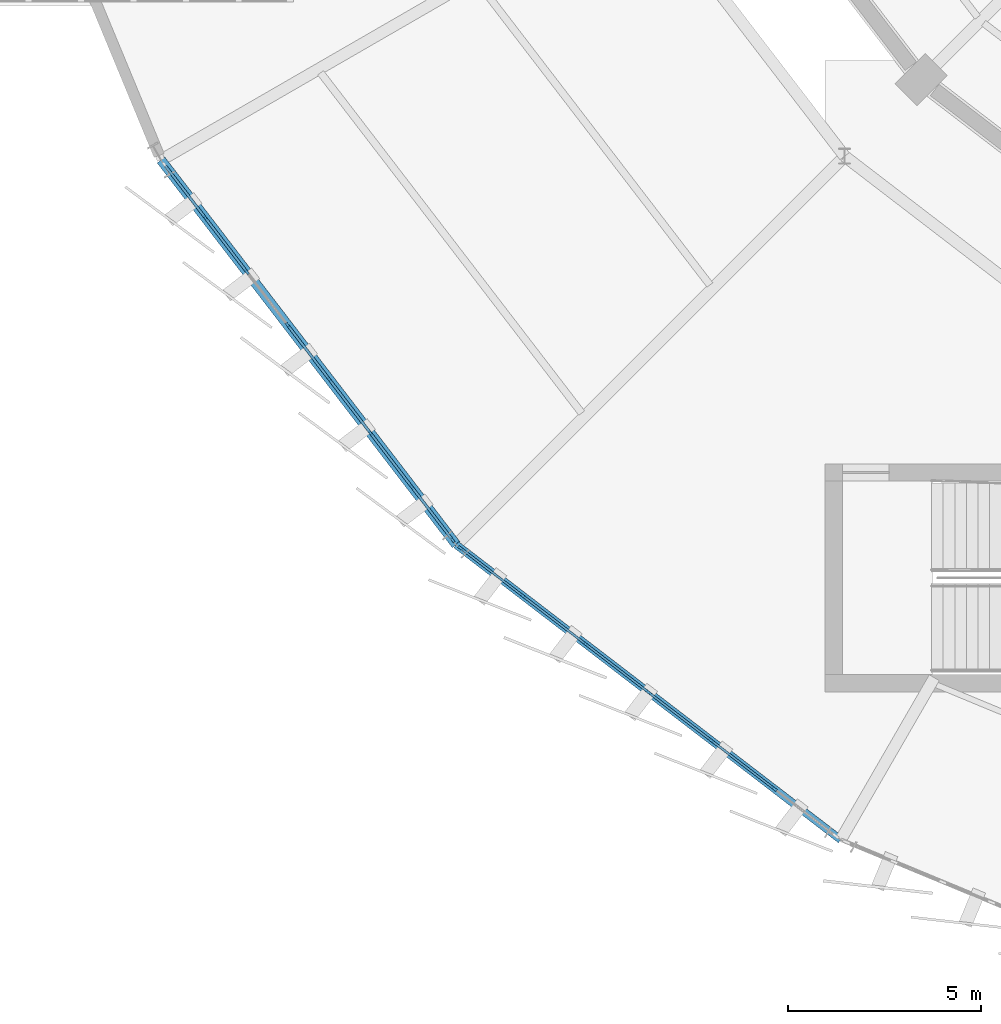
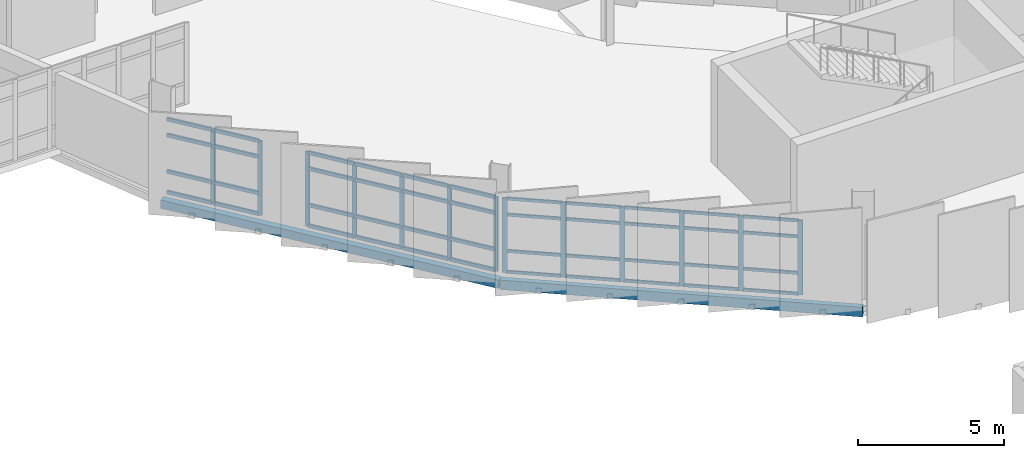
# One storey, part 28 of 134: 57 members, 2 beams, 2 elements without a shape of their own.
"""IFC4 building model written with IfcOpenShell, lengths in metres."""

from ifc_helpers import new_model, si_unit, direction, frame, origin, origin_2d, place, context, subcontext, project, spatial, rectangle, hollow_rectangle, extrude, material, layer, layer_set, material_profile, profile_set, type_object, element, aggregate, save


model = new_model("IFC4")

# Units and contexts
model_context = context("Model", 3, precision=1e-05, world=origin(), true_north=direction((0.0, 1.0)))
body_context = subcontext(model_context, "Body", "Model", "MODEL_VIEW")
ifc_project = project(units=[si_unit("LENGTHUNIT", "METRE"), si_unit("AREAUNIT", "SQUARE_METRE"), si_unit("VOLUMEUNIT", "CUBIC_METRE"), si_unit("PLANEANGLEUNIT", "RADIAN"), si_unit("MASSUNIT", "GRAM", prefix="KILO")], contexts=[model_context])

# Site, building, storey
site_placement = place(None, origin())
site = spatial("IfcSite", under=ifc_project, at=site_placement, CompositionType="ELEMENT")
building_placement = place(site_placement, origin())
building = spatial("IfcBuilding", under=site, at=building_placement, Name="Sohan Crest Arena", CompositionType="ELEMENT")
storey_placement = place(building_placement, frame((0.0, 0.0, 4.5)))
storey = spatial("IfcBuildingStorey", under=building, at=storey_placement, Name="L01", CompositionType="ELEMENT", Elevation=4.5)

# Curtain wall, members
ifc_material_1 = material(Name="Thermally broken anodised aluminium", Category="aluminium")
ifc_layer_1 = layer(ifc_material_1, 0.219970703125, Name="Thermally broken anodised aluminium")
ifc_layer_set_1 = layer_set([ifc_layer_1], Name="Thermally broken anodised aluminium")
curtain_wall_type_1 = type_object("IfcCurtainWallType", Name="ARC-CW03", PredefinedType="NOTDEFINED", material=ifc_layer_set_1)
curtain_wall_1_placement = place(storey_placement, origin())
curtain_wall_1 = element("IfcCurtainWall", 1, at=curtain_wall_1_placement, inside=storey, type_object=curtain_wall_type_1, Name="Unitised curtain wall CW-026", PredefinedType="NOTDEFINED")
ifc_material_profile_1 = material_profile(ifc_material_1, rectangle(XDim=0.06005859375, YDim=0.159912109375, at=origin_2d()), Name="ALU-MULL 60x160")
ifc_profile_set_1 = profile_set([ifc_material_profile_1], Name="Thermally broken anodised aluminium")
member_type_1 = type_object("IfcMemberType", Name="ARC-CW-ML01", PredefinedType="MULLION", material=ifc_profile_set_1)
member_1_placement = place(storey_placement, frame((57.5771484375, 52.50634765625, 0.0), z_axis=(0.0, 0.0, 1.0), x_axis=(0.793350515411, 0.608765110447, 0.0)))
member_1 = element("IfcMember", 2, at=member_1_placement, type_object=member_type_1, Name="CW-026 mullion 2", PredefinedType="MULLION", context=body_context, shape_type="SweptSolid", body=[
    extrude(rectangle(XDim=0.06005859375, YDim=0.159912109375, at=origin_2d()), origin(), (0.0, 0.0, 1.0), 3.1201171875),
])
member_2_placement = place(storey_placement, frame((58.644287109375, 51.115478515625, 0.0), z_axis=(0.0, 0.0, 1.0), x_axis=(0.793350515411, 0.608765110447, 0.0)))
member_2 = element("IfcMember", 3, at=member_2_placement, type_object=member_type_1, Name="CW-026 mullion 3", PredefinedType="MULLION", context=body_context, shape_type="SweptSolid", body=[
    extrude(rectangle(XDim=0.06005859375, YDim=0.159912109375, at=origin_2d()), origin(), (0.0, 0.0, 1.0), 3.1201171875),
])
member_3_placement = place(storey_placement, frame((59.71142578125, 49.724853515625, 0.0), z_axis=(0.0, 0.0, 1.0), x_axis=(0.793350515411, 0.608765110447, 0.0)))
member_3 = element("IfcMember", 4, at=member_3_placement, type_object=member_type_1, Name="CW-026 mullion 4", PredefinedType="MULLION", context=body_context, shape_type="SweptSolid", body=[
    extrude(rectangle(XDim=0.06005859375, YDim=0.159912109375, at=origin_2d()), origin(), (0.0, 0.0, 1.0), 3.1201171875),
])
member_4_placement = place(storey_placement, frame((60.778564453125, 48.334228515625, 0.0), z_axis=(0.0, 0.0, 1.0), x_axis=(0.793350515411, 0.608765110447, 0.0)))
member_4 = element("IfcMember", 5, at=member_4_placement, type_object=member_type_1, Name="CW-026 mullion 5", PredefinedType="MULLION", context=body_context, shape_type="SweptSolid", body=[
    extrude(rectangle(XDim=0.06005859375, YDim=0.159912109375, at=origin_2d()), origin(), (0.0, 0.0, 1.0), 3.1201171875),
])
member_5_placement = place(storey_placement, frame((61.845703125, 46.943359375, 0.0), z_axis=(0.0, 0.0, 1.0), x_axis=(0.793350515411, 0.608765110447, 0.0)))
member_5 = element("IfcMember", 6, at=member_5_placement, type_object=member_type_1, Name="CW-026 mullion 6", PredefinedType="MULLION", context=body_context, shape_type="SweptSolid", body=[
    extrude(rectangle(XDim=0.06005859375, YDim=0.159912109375, at=origin_2d()), origin(), (0.0, 0.0, 1.0), 3.1201171875),
])
member_6_placement = place(storey_placement, frame((62.912841796875, 45.552734375, 0.0), z_axis=(0.0, 0.0, 1.0), x_axis=(0.793350515411, 0.608765110447, 0.0)))
member_6 = element("IfcMember", 7, at=member_6_placement, type_object=member_type_1, Name="CW-026 mullion 7", PredefinedType="MULLION", context=body_context, shape_type="SweptSolid", body=[
    extrude(rectangle(XDim=0.06005859375, YDim=0.159912109375, at=origin_2d()), origin(), (0.0, 0.0, 1.0), 3.1201171875),
])
member_7_placement = place(storey_placement, frame((63.961669921875, 44.185791015625, 0.0), z_axis=(0.0, 0.0, 1.0), x_axis=(0.793350515411, 0.608765110447, 0.0)))
member_7 = element("IfcMember", 8, at=member_7_placement, type_object=member_type_1, Name="CW-026 mullion 8", PredefinedType="MULLION", context=body_context, shape_type="SweptSolid", body=[
    extrude(rectangle(XDim=0.06005859375, YDim=0.159912109375, at=origin_2d()), origin(), (0.0, 0.0, 1.0), 3.1201171875),
])

ifc_layer_2 = layer(ifc_material_1, 0.239990234375, Name="Thermally broken anodised aluminium")
ifc_layer_set_2 = layer_set([ifc_layer_2], Name="Thermally broken anodised aluminium")
curtain_wall_type_2 = type_object("IfcCurtainWallType", Name="ARC-CW04", PredefinedType="NOTDEFINED", material=ifc_layer_set_2)
curtain_wall_2_placement = place(storey_placement, origin())
curtain_wall_2 = element("IfcCurtainWall", 9, at=curtain_wall_2_placement, inside=storey, type_object=curtain_wall_type_2, Name="Unitised curtain wall CW-027", PredefinedType="NOTDEFINED")
ifc_material_profile_2 = material_profile(ifc_material_1, rectangle(XDim=0.06494140625, YDim=0.179931640625, at=origin_2d()), Name="ALU-MULL 65x180")
ifc_profile_set_2 = profile_set([ifc_material_profile_2], Name="Thermally broken anodised aluminium")
member_type_2 = type_object("IfcMemberType", Name="ARC-CW-ML02", PredefinedType="MULLION", material=ifc_profile_set_2)
member_8_placement = place(storey_placement, frame((64.187744140625, 43.960205078125, 0.0), z_axis=(0.0, 0.0, 1.0), x_axis=(0.608765110447, 0.793350515411, 0.0)))
member_8 = element("IfcMember", 10, at=member_8_placement, type_object=member_type_2, Name="CW-027 mullion 1", PredefinedType="MULLION", context=body_context, shape_type="SweptSolid", body=[
    extrude(rectangle(XDim=0.06494140625, YDim=0.179931640625, at=origin_2d()), origin(), (0.0, 0.0, 1.0), 3.1201171875),
])
member_9_placement = place(storey_placement, frame((65.784423828125, 42.735107421875, 0.0), z_axis=(0.0, 0.0, 1.0), x_axis=(0.608765110447, 0.793350515411, 0.0)))
member_9 = element("IfcMember", 11, at=member_9_placement, type_object=member_type_2, Name="CW-027 mullion 2", PredefinedType="MULLION", context=body_context, shape_type="SweptSolid", body=[
    extrude(rectangle(XDim=0.06494140625, YDim=0.179931640625, at=origin_2d()), origin(), (0.0, 0.0, 1.0), 3.1201171875),
])
member_10_placement = place(storey_placement, frame((67.406982421875, 41.489990234375, 0.0), z_axis=(0.0, 0.0, 1.0), x_axis=(0.608765110447, 0.793350515411, 0.0)))
member_10 = element("IfcMember", 12, at=member_10_placement, type_object=member_type_2, Name="CW-027 mullion 3", PredefinedType="MULLION", context=body_context, shape_type="SweptSolid", body=[
    extrude(rectangle(XDim=0.06494140625, YDim=0.179931640625, at=origin_2d()), origin(), (0.0, 0.0, 1.0), 3.1201171875),
])
member_11_placement = place(storey_placement, frame((69.029541015625, 40.2451171875, 0.0), z_axis=(0.0, 0.0, 1.0), x_axis=(0.608765110447, 0.793350515411, 0.0)))
member_11 = element("IfcMember", 13, at=member_11_placement, type_object=member_type_2, Name="CW-027 mullion 4", PredefinedType="MULLION", context=body_context, shape_type="SweptSolid", body=[
    extrude(rectangle(XDim=0.06494140625, YDim=0.179931640625, at=origin_2d()), origin(), (0.0, 0.0, 1.0), 3.1201171875),
])
member_12_placement = place(storey_placement, frame((70.652099609375, 39.0, 0.0), z_axis=(0.0, 0.0, 1.0), x_axis=(0.608765110447, 0.793350515411, 0.0)))
member_12 = element("IfcMember", 14, at=member_12_placement, type_object=member_type_2, Name="CW-027 mullion 5", PredefinedType="MULLION", context=body_context, shape_type="SweptSolid", body=[
    extrude(rectangle(XDim=0.06494140625, YDim=0.179931640625, at=origin_2d()), origin(), (0.0, 0.0, 1.0), 3.1201171875),
])
member_13_placement = place(storey_placement, frame((72.2744140625, 37.7548828125, 0.0), z_axis=(0.0, 0.0, 1.0), x_axis=(0.608765110447, 0.793350515411, 0.0)))
member_13 = element("IfcMember", 15, at=member_13_placement, type_object=member_type_2, Name="CW-027 mullion 6", PredefinedType="MULLION", context=body_context, shape_type="SweptSolid", body=[
    extrude(rectangle(XDim=0.06494140625, YDim=0.179931640625, at=origin_2d()), origin(), (0.0, 0.0, 1.0), 3.1201171875),
])
ifc_material_profile_3 = material_profile(ifc_material_1, rectangle(XDim=0.06005859375, YDim=0.1201171875, at=origin_2d()), Name="ALU-TRAN 60x120")
ifc_profile_set_3 = profile_set([ifc_material_profile_3], Name="Thermally broken anodised aluminium")
member_type_3 = type_object("IfcMemberType", Name="ARC-CW-TR01", PredefinedType="USERDEFINED", material=ifc_profile_set_3)
member_14_placement = place(storey_placement, frame((64.213623046875, 43.9404296875, 0.030029296875), z_axis=(0.793378313747, -0.608728881585, 0.0), x_axis=(0.608728881585, 0.793378313747, 0.0)))
member_14 = element("IfcMember", 16, at=member_14_placement, type_object=member_type_3, Name="CW-027 transom 1.1", ObjectType="TRANSOM", PredefinedType="USERDEFINED", context=body_context, shape_type="SweptSolid", body=[
    extrude(rectangle(XDim=0.06005859375, YDim=0.1201171875, at=origin_2d()), origin(), (0.0, 0.0, 1.0), 1.947509765625),
])
member_15_placement = place(storey_placement, frame((64.213623046875, 43.9404296875, 0.89990234375), z_axis=(0.793378313747, -0.608728881585, 0.0), x_axis=(0.608728881585, 0.793378313747, 0.0)))
member_15 = element("IfcMember", 17, at=member_15_placement, type_object=member_type_3, Name="CW-027 transom 1.2", ObjectType="TRANSOM", PredefinedType="USERDEFINED", context=body_context, shape_type="SweptSolid", body=[
    extrude(rectangle(XDim=0.06005859375, YDim=0.1201171875, at=origin_2d()), origin(), (0.0, 0.0, 1.0), 1.947509765625),
])
member_16_placement = place(storey_placement, frame((64.213623046875, 43.9404296875, 2.419921875), z_axis=(0.793378313747, -0.608728881585, 0.0), x_axis=(0.608728881585, 0.793378313747, 0.0)))
member_16 = element("IfcMember", 18, at=member_16_placement, type_object=member_type_3, Name="CW-027 transom 1.3", ObjectType="TRANSOM", PredefinedType="USERDEFINED", context=body_context, shape_type="SweptSolid", body=[
    extrude(rectangle(XDim=0.06005859375, YDim=0.1201171875, at=origin_2d()), origin(), (0.0, 0.0, 1.0), 1.947509765625),
])
member_17_placement = place(storey_placement, frame((64.213623046875, 43.9404296875, 3.090087890625), z_axis=(0.793378313747, -0.608728881585, 0.0), x_axis=(0.608728881585, 0.793378313747, 0.0)))
member_17 = element("IfcMember", 19, at=member_17_placement, type_object=member_type_3, Name="CW-027 transom 1.4", ObjectType="TRANSOM", PredefinedType="USERDEFINED", context=body_context, shape_type="SweptSolid", body=[
    extrude(rectangle(XDim=0.06005859375, YDim=0.1201171875, at=origin_2d()), origin(), (0.0, 0.0, 1.0), 1.947509765625),
])
member_18_placement = place(storey_placement, frame((65.810302734375, 42.71533203125, 0.030029296875), z_axis=(0.793292707142, -0.60884043952, 0.0), x_axis=(0.60884043952, 0.793292707142, 0.0)))
member_18 = element("IfcMember", 20, at=member_18_placement, type_object=member_type_3, Name="CW-027 transom 2.1", ObjectType="TRANSOM", PredefinedType="USERDEFINED", context=body_context, shape_type="SweptSolid", body=[
    extrude(rectangle(XDim=0.06005859375, YDim=0.1201171875, at=origin_2d()), origin(), (0.0, 0.0, 1.0), 1.97998046875),
])
member_19_placement = place(storey_placement, frame((65.810302734375, 42.71533203125, 0.89990234375), z_axis=(0.793292707142, -0.60884043952, 0.0), x_axis=(0.60884043952, 0.793292707142, 0.0)))
member_19 = element("IfcMember", 21, at=member_19_placement, type_object=member_type_3, Name="CW-027 transom 2.2", ObjectType="TRANSOM", PredefinedType="USERDEFINED", context=body_context, shape_type="SweptSolid", body=[
    extrude(rectangle(XDim=0.06005859375, YDim=0.1201171875, at=origin_2d()), origin(), (0.0, 0.0, 1.0), 1.97998046875),
])
member_20_placement = place(storey_placement, frame((65.810302734375, 42.71533203125, 2.419921875), z_axis=(0.793292707142, -0.60884043952, 0.0), x_axis=(0.60884043952, 0.793292707142, 0.0)))
member_20 = element("IfcMember", 22, at=member_20_placement, type_object=member_type_3, Name="CW-027 transom 2.3", ObjectType="TRANSOM", PredefinedType="USERDEFINED", context=body_context, shape_type="SweptSolid", body=[
    extrude(rectangle(XDim=0.06005859375, YDim=0.1201171875, at=origin_2d()), origin(), (0.0, 0.0, 1.0), 1.97998046875),
])
member_21_placement = place(storey_placement, frame((65.810302734375, 42.71533203125, 3.090087890625), z_axis=(0.793292707142, -0.60884043952, 0.0), x_axis=(0.60884043952, 0.793292707142, 0.0)))
member_21 = element("IfcMember", 23, at=member_21_placement, type_object=member_type_3, Name="CW-027 transom 2.4", ObjectType="TRANSOM", PredefinedType="USERDEFINED", context=body_context, shape_type="SweptSolid", body=[
    extrude(rectangle(XDim=0.06005859375, YDim=0.1201171875, at=origin_2d()), origin(), (0.0, 0.0, 1.0), 1.97998046875),
])
member_22_placement = place(storey_placement, frame((67.432861328125, 41.47021484375, 0.030029296875), z_axis=(0.793352258859, -0.608762838356, 0.0), x_axis=(0.608762838356, 0.793352258859, 0.0)))
member_22 = element("IfcMember", 24, at=member_22_placement, type_object=member_type_3, Name="CW-027 transom 3.1", ObjectType="TRANSOM", PredefinedType="USERDEFINED", context=body_context, shape_type="SweptSolid", body=[
    extrude(rectangle(XDim=0.06005859375, YDim=0.1201171875, at=origin_2d()), origin(), (0.0, 0.0, 1.0), 1.97998046875),
])
member_23_placement = place(storey_placement, frame((67.432861328125, 41.47021484375, 0.89990234375), z_axis=(0.793352258859, -0.608762838356, 0.0), x_axis=(0.608762838356, 0.793352258859, 0.0)))
member_23 = element("IfcMember", 25, at=member_23_placement, type_object=member_type_3, Name="CW-027 transom 3.2", ObjectType="TRANSOM", PredefinedType="USERDEFINED", context=body_context, shape_type="SweptSolid", body=[
    extrude(rectangle(XDim=0.06005859375, YDim=0.1201171875, at=origin_2d()), origin(), (0.0, 0.0, 1.0), 1.97998046875),
])
member_24_placement = place(storey_placement, frame((67.432861328125, 41.47021484375, 2.419921875), z_axis=(0.793352258859, -0.608762838356, 0.0), x_axis=(0.608762838356, 0.793352258859, 0.0)))
member_24 = element("IfcMember", 26, at=member_24_placement, type_object=member_type_3, Name="CW-027 transom 3.3", ObjectType="TRANSOM", PredefinedType="USERDEFINED", context=body_context, shape_type="SweptSolid", body=[
    extrude(rectangle(XDim=0.06005859375, YDim=0.1201171875, at=origin_2d()), origin(), (0.0, 0.0, 1.0), 1.97998046875),
])
member_25_placement = place(storey_placement, frame((67.432861328125, 41.47021484375, 3.090087890625), z_axis=(0.793352258859, -0.608762838356, 0.0), x_axis=(0.608762838356, 0.793352258859, 0.0)))
member_25 = element("IfcMember", 27, at=member_25_placement, type_object=member_type_3, Name="CW-027 transom 3.4", ObjectType="TRANSOM", PredefinedType="USERDEFINED", context=body_context, shape_type="SweptSolid", body=[
    extrude(rectangle(XDim=0.06005859375, YDim=0.1201171875, at=origin_2d()), origin(), (0.0, 0.0, 1.0), 1.97998046875),
])
member_26_placement = place(storey_placement, frame((69.05517578125, 40.22509765625, 0.030029296875), z_axis=(0.793397948479, -0.608703290076, 0.0), x_axis=(0.608703290076, 0.793397948479, 0.0)))
member_26 = element("IfcMember", 28, at=member_26_placement, type_object=member_type_3, Name="CW-027 transom 4.1", ObjectType="TRANSOM", PredefinedType="USERDEFINED", context=body_context, shape_type="SweptSolid", body=[
    extrude(rectangle(XDim=0.06005859375, YDim=0.1201171875, at=origin_2d()), origin(), (0.0, 0.0, 1.0), 1.980224609375),
])
member_27_placement = place(storey_placement, frame((69.05517578125, 40.22509765625, 0.89990234375), z_axis=(0.793397948479, -0.608703290076, 0.0), x_axis=(0.608703290076, 0.793397948479, 0.0)))
member_27 = element("IfcMember", 29, at=member_27_placement, type_object=member_type_3, Name="CW-027 transom 4.2", ObjectType="TRANSOM", PredefinedType="USERDEFINED", context=body_context, shape_type="SweptSolid", body=[
    extrude(rectangle(XDim=0.06005859375, YDim=0.1201171875, at=origin_2d()), origin(), (0.0, 0.0, 1.0), 1.980224609375),
])
member_28_placement = place(storey_placement, frame((69.05517578125, 40.22509765625, 2.419921875), z_axis=(0.793397948479, -0.608703290076, 0.0), x_axis=(0.608703290076, 0.793397948479, 0.0)))
member_28 = element("IfcMember", 30, at=member_28_placement, type_object=member_type_3, Name="CW-027 transom 4.3", ObjectType="TRANSOM", PredefinedType="USERDEFINED", context=body_context, shape_type="SweptSolid", body=[
    extrude(rectangle(XDim=0.06005859375, YDim=0.1201171875, at=origin_2d()), origin(), (0.0, 0.0, 1.0), 1.980224609375),
])
member_29_placement = place(storey_placement, frame((69.05517578125, 40.22509765625, 3.090087890625), z_axis=(0.793397948479, -0.608703290076, 0.0), x_axis=(0.608703290076, 0.793397948479, 0.0)))
member_29 = element("IfcMember", 31, at=member_29_placement, type_object=member_type_3, Name="CW-027 transom 4.4", ObjectType="TRANSOM", PredefinedType="USERDEFINED", context=body_context, shape_type="SweptSolid", body=[
    extrude(rectangle(XDim=0.06005859375, YDim=0.1201171875, at=origin_2d()), origin(), (0.0, 0.0, 1.0), 1.980224609375),
])
member_30_placement = place(storey_placement, frame((70.677734375, 38.980224609375, 0.030029296875), z_axis=(0.793397948479, -0.608703290076, 0.0), x_axis=(0.608703290076, 0.793397948479, 0.0)))
member_30 = element("IfcMember", 32, at=member_30_placement, type_object=member_type_3, Name="CW-027 transom 5.1", ObjectType="TRANSOM", PredefinedType="USERDEFINED", context=body_context, shape_type="SweptSolid", body=[
    extrude(rectangle(XDim=0.06005859375, YDim=0.1201171875, at=origin_2d()), origin(), (0.0, 0.0, 1.0), 1.980224609375),
])
member_31_placement = place(storey_placement, frame((70.677734375, 38.980224609375, 0.89990234375), z_axis=(0.793397948479, -0.608703290076, 0.0), x_axis=(0.608703290076, 0.793397948479, 0.0)))
member_31 = element("IfcMember", 33, at=member_31_placement, type_object=member_type_3, Name="CW-027 transom 5.2", ObjectType="TRANSOM", PredefinedType="USERDEFINED", context=body_context, shape_type="SweptSolid", body=[
    extrude(rectangle(XDim=0.06005859375, YDim=0.1201171875, at=origin_2d()), origin(), (0.0, 0.0, 1.0), 1.980224609375),
])
member_32_placement = place(storey_placement, frame((70.677734375, 38.980224609375, 2.419921875), z_axis=(0.793397948479, -0.608703290076, 0.0), x_axis=(0.608703290076, 0.793397948479, 0.0)))
member_32 = element("IfcMember", 34, at=member_32_placement, type_object=member_type_3, Name="CW-027 transom 5.3", ObjectType="TRANSOM", PredefinedType="USERDEFINED", context=body_context, shape_type="SweptSolid", body=[
    extrude(rectangle(XDim=0.06005859375, YDim=0.1201171875, at=origin_2d()), origin(), (0.0, 0.0, 1.0), 1.980224609375),
])
member_33_placement = place(storey_placement, frame((70.677734375, 38.980224609375, 3.090087890625), z_axis=(0.793397948479, -0.608703290076, 0.0), x_axis=(0.608703290076, 0.793397948479, 0.0)))
member_33 = element("IfcMember", 35, at=member_33_placement, type_object=member_type_3, Name="CW-027 transom 5.4", ObjectType="TRANSOM", PredefinedType="USERDEFINED", context=body_context, shape_type="SweptSolid", body=[
    extrude(rectangle(XDim=0.06005859375, YDim=0.1201171875, at=origin_2d()), origin(), (0.0, 0.0, 1.0), 1.980224609375),
])
aggregate(curtain_wall_2, [member_8, member_9, member_10, member_11, member_12, member_13, member_14, member_15, member_16, member_17, member_18, member_19, member_20, member_21, member_22, member_23, member_24, member_25, member_26, member_27, member_28, member_29, member_30, member_31, member_32, member_33])

# Member
ifc_material_profile_4 = material_profile(ifc_material_1, rectangle(XDim=0.070068359375, YDim=0.14990234375, at=origin_2d()), Name="ALU-TRAN 70x150")
ifc_profile_set_4 = profile_set([ifc_material_profile_4], Name="Thermally broken anodised aluminium")
member_type_4 = type_object("IfcMemberType", Name="ARC-CW-TR03", PredefinedType="USERDEFINED", material=ifc_profile_set_4)
member_34_placement = place(storey_placement, frame((56.546630859375, 53.849365234375, 0.034912109375), z_axis=(0.608702744327, -0.793398367183, 0.0), x_axis=(0.793398367183, 0.608702744327, 0.0)))
member_34 = element("IfcMember", 36, at=member_34_placement, type_object=member_type_4, Name="CW-026 transom 1.1", ObjectType="TRANSOM", PredefinedType="USERDEFINED", context=body_context, shape_type="SweptSolid", body=[
    extrude(rectangle(XDim=0.070068359375, YDim=0.14990234375, at=origin_2d()), origin(), (0.0, 0.0, 1.0), 1.662841796875),
])

member_35_placement = place(storey_placement, frame((56.546630859375, 53.849365234375, 0.89990234375), z_axis=(0.608702744327, -0.793398367183, 0.0), x_axis=(0.793398367183, 0.608702744327, 0.0)))
member_35 = element("IfcMember", 37, at=member_35_placement, type_object=member_type_4, Name="CW-026 transom 1.2", ObjectType="TRANSOM", PredefinedType="USERDEFINED", context=body_context, shape_type="SweptSolid", body=[
    extrude(rectangle(XDim=0.070068359375, YDim=0.14990234375, at=origin_2d()), origin(), (0.0, 0.0, 1.0), 1.662841796875),
])

member_36_placement = place(storey_placement, frame((56.546630859375, 53.849365234375, 2.419921875), z_axis=(0.608702744327, -0.793398367183, 0.0), x_axis=(0.793398367183, 0.608702744327, 0.0)))
member_36 = element("IfcMember", 38, at=member_36_placement, type_object=member_type_4, Name="CW-026 transom 1.3", ObjectType="TRANSOM", PredefinedType="USERDEFINED", context=body_context, shape_type="SweptSolid", body=[
    extrude(rectangle(XDim=0.070068359375, YDim=0.14990234375, at=origin_2d()), origin(), (0.0, 0.0, 1.0), 1.662841796875),
])

member_37_placement = place(storey_placement, frame((56.546630859375, 53.849365234375, 3.0849609375), z_axis=(0.608702744327, -0.793398367183, 0.0), x_axis=(0.793398367183, 0.608702744327, 0.0)))
member_37 = element("IfcMember", 39, at=member_37_placement, type_object=member_type_4, Name="CW-026 transom 1.4", ObjectType="TRANSOM", PredefinedType="USERDEFINED", context=body_context, shape_type="SweptSolid", body=[
    extrude(rectangle(XDim=0.070068359375, YDim=0.14990234375, at=origin_2d()), origin(), (0.0, 0.0, 1.0), 1.662841796875),
])

member_38_placement = place(storey_placement, frame((57.595458984375, 52.482421875, 0.034912109375), z_axis=(0.608755459623, -0.793357920726, 0.0), x_axis=(0.793357920726, 0.608755459623, 0.0)))
member_38 = element("IfcMember", 40, at=member_38_placement, type_object=member_type_4, Name="CW-026 transom 2.1", ObjectType="TRANSOM", PredefinedType="USERDEFINED", context=body_context, shape_type="SweptSolid", body=[
    extrude(rectangle(XDim=0.070068359375, YDim=0.14990234375, at=origin_2d()), origin(), (0.0, 0.0, 1.0), 1.69287109375),
])

member_39_placement = place(storey_placement, frame((57.595458984375, 52.482421875, 0.89990234375), z_axis=(0.608755459623, -0.793357920726, 0.0), x_axis=(0.793357920726, 0.608755459623, 0.0)))
member_39 = element("IfcMember", 41, at=member_39_placement, type_object=member_type_4, Name="CW-026 transom 2.2", ObjectType="TRANSOM", PredefinedType="USERDEFINED", context=body_context, shape_type="SweptSolid", body=[
    extrude(rectangle(XDim=0.070068359375, YDim=0.14990234375, at=origin_2d()), origin(), (0.0, 0.0, 1.0), 1.69287109375),
])

member_40_placement = place(storey_placement, frame((57.595458984375, 52.482421875, 2.419921875), z_axis=(0.608755459623, -0.793357920726, 0.0), x_axis=(0.793357920726, 0.608755459623, 0.0)))
member_40 = element("IfcMember", 42, at=member_40_placement, type_object=member_type_4, Name="CW-026 transom 2.3", ObjectType="TRANSOM", PredefinedType="USERDEFINED", context=body_context, shape_type="SweptSolid", body=[
    extrude(rectangle(XDim=0.070068359375, YDim=0.14990234375, at=origin_2d()), origin(), (0.0, 0.0, 1.0), 1.69287109375),
])

member_41_placement = place(storey_placement, frame((57.595458984375, 52.482421875, 3.0849609375), z_axis=(0.608755459623, -0.793357920726, 0.0), x_axis=(0.793357920726, 0.608755459623, 0.0)))
member_41 = element("IfcMember", 43, at=member_41_placement, type_object=member_type_4, Name="CW-026 transom 2.4", ObjectType="TRANSOM", PredefinedType="USERDEFINED", context=body_context, shape_type="SweptSolid", body=[
    extrude(rectangle(XDim=0.070068359375, YDim=0.14990234375, at=origin_2d()), origin(), (0.0, 0.0, 1.0), 1.69287109375),
])

member_42_placement = place(storey_placement, frame((59.729736328125, 49.701171875, 0.034912109375), z_axis=(0.608685812291, -0.793411357315, 0.0), x_axis=(0.793411357315, 0.608685812291, 0.0)))
member_42 = element("IfcMember", 44, at=member_42_placement, type_object=member_type_4, Name="CW-026 transom 4.1", ObjectType="TRANSOM", PredefinedType="USERDEFINED", context=body_context, shape_type="SweptSolid", body=[
    extrude(rectangle(XDim=0.070068359375, YDim=0.14990234375, at=origin_2d()), origin(), (0.0, 0.0, 1.0), 1.693115234375),
])

member_43_placement = place(storey_placement, frame((59.729736328125, 49.701171875, 0.89990234375), z_axis=(0.608685812291, -0.793411357315, 0.0), x_axis=(0.793411357315, 0.608685812291, 0.0)))
member_43 = element("IfcMember", 45, at=member_43_placement, type_object=member_type_4, Name="CW-026 transom 4.2", ObjectType="TRANSOM", PredefinedType="USERDEFINED", context=body_context, shape_type="SweptSolid", body=[
    extrude(rectangle(XDim=0.070068359375, YDim=0.14990234375, at=origin_2d()), origin(), (0.0, 0.0, 1.0), 1.693115234375),
])

member_44_placement = place(storey_placement, frame((59.729736328125, 49.701171875, 2.419921875), z_axis=(0.608685812291, -0.793411357315, 0.0), x_axis=(0.793411357315, 0.608685812291, 0.0)))
member_44 = element("IfcMember", 46, at=member_44_placement, type_object=member_type_4, Name="CW-026 transom 4.3", ObjectType="TRANSOM", PredefinedType="USERDEFINED", context=body_context, shape_type="SweptSolid", body=[
    extrude(rectangle(XDim=0.070068359375, YDim=0.14990234375, at=origin_2d()), origin(), (0.0, 0.0, 1.0), 1.693115234375),
])

member_45_placement = place(storey_placement, frame((59.729736328125, 49.701171875, 3.0849609375), z_axis=(0.608685812291, -0.793411357315, 0.0), x_axis=(0.793411357315, 0.608685812291, 0.0)))
member_45 = element("IfcMember", 47, at=member_45_placement, type_object=member_type_4, Name="CW-026 transom 4.4", ObjectType="TRANSOM", PredefinedType="USERDEFINED", context=body_context, shape_type="SweptSolid", body=[
    extrude(rectangle(XDim=0.070068359375, YDim=0.14990234375, at=origin_2d()), origin(), (0.0, 0.0, 1.0), 1.693115234375),
])

member_46_placement = place(storey_placement, frame((60.796875, 48.310302734375, 0.034912109375), z_axis=(0.608755459623, -0.793357920726, 0.0), x_axis=(0.793357920726, 0.608755459623, 0.0)))
member_46 = element("IfcMember", 48, at=member_46_placement, type_object=member_type_4, Name="CW-026 transom 5.1", ObjectType="TRANSOM", PredefinedType="USERDEFINED", context=body_context, shape_type="SweptSolid", body=[
    extrude(rectangle(XDim=0.070068359375, YDim=0.14990234375, at=origin_2d()), origin(), (0.0, 0.0, 1.0), 1.69287109375),
])

member_47_placement = place(storey_placement, frame((60.796875, 48.310302734375, 0.89990234375), z_axis=(0.608755459623, -0.793357920726, 0.0), x_axis=(0.793357920726, 0.608755459623, 0.0)))
member_47 = element("IfcMember", 49, at=member_47_placement, type_object=member_type_4, Name="CW-026 transom 5.2", ObjectType="TRANSOM", PredefinedType="USERDEFINED", context=body_context, shape_type="SweptSolid", body=[
    extrude(rectangle(XDim=0.070068359375, YDim=0.14990234375, at=origin_2d()), origin(), (0.0, 0.0, 1.0), 1.69287109375),
])

member_48_placement = place(storey_placement, frame((60.796875, 48.310302734375, 2.419921875), z_axis=(0.608755459623, -0.793357920726, 0.0), x_axis=(0.793357920726, 0.608755459623, 0.0)))
member_48 = element("IfcMember", 50, at=member_48_placement, type_object=member_type_4, Name="CW-026 transom 5.3", ObjectType="TRANSOM", PredefinedType="USERDEFINED", context=body_context, shape_type="SweptSolid", body=[
    extrude(rectangle(XDim=0.070068359375, YDim=0.14990234375, at=origin_2d()), origin(), (0.0, 0.0, 1.0), 1.69287109375),
])

member_49_placement = place(storey_placement, frame((60.796875, 48.310302734375, 3.0849609375), z_axis=(0.608755459623, -0.793357920726, 0.0), x_axis=(0.793357920726, 0.608755459623, 0.0)))
member_49 = element("IfcMember", 51, at=member_49_placement, type_object=member_type_4, Name="CW-026 transom 5.4", ObjectType="TRANSOM", PredefinedType="USERDEFINED", context=body_context, shape_type="SweptSolid", body=[
    extrude(rectangle(XDim=0.070068359375, YDim=0.14990234375, at=origin_2d()), origin(), (0.0, 0.0, 1.0), 1.69287109375),
])

member_50_placement = place(storey_placement, frame((61.864013671875, 46.919677734375, 0.034912109375), z_axis=(0.608685812291, -0.793411357315, 0.0), x_axis=(0.793411357315, 0.608685812291, 0.0)))
member_50 = element("IfcMember", 52, at=member_50_placement, type_object=member_type_4, Name="CW-026 transom 6.1", ObjectType="TRANSOM", PredefinedType="USERDEFINED", context=body_context, shape_type="SweptSolid", body=[
    extrude(rectangle(XDim=0.070068359375, YDim=0.14990234375, at=origin_2d()), origin(), (0.0, 0.0, 1.0), 1.693115234375),
])

member_51_placement = place(storey_placement, frame((61.864013671875, 46.919677734375, 0.89990234375), z_axis=(0.608685812291, -0.793411357315, 0.0), x_axis=(0.793411357315, 0.608685812291, 0.0)))
member_51 = element("IfcMember", 53, at=member_51_placement, type_object=member_type_4, Name="CW-026 transom 6.2", ObjectType="TRANSOM", PredefinedType="USERDEFINED", context=body_context, shape_type="SweptSolid", body=[
    extrude(rectangle(XDim=0.070068359375, YDim=0.14990234375, at=origin_2d()), origin(), (0.0, 0.0, 1.0), 1.693115234375),
])

member_52_placement = place(storey_placement, frame((61.864013671875, 46.919677734375, 2.419921875), z_axis=(0.608685812291, -0.793411357315, 0.0), x_axis=(0.793411357315, 0.608685812291, 0.0)))
member_52 = element("IfcMember", 54, at=member_52_placement, type_object=member_type_4, Name="CW-026 transom 6.3", ObjectType="TRANSOM", PredefinedType="USERDEFINED", context=body_context, shape_type="SweptSolid", body=[
    extrude(rectangle(XDim=0.070068359375, YDim=0.14990234375, at=origin_2d()), origin(), (0.0, 0.0, 1.0), 1.693115234375),
])

member_53_placement = place(storey_placement, frame((61.864013671875, 46.919677734375, 3.0849609375), z_axis=(0.608685812291, -0.793411357315, 0.0), x_axis=(0.793411357315, 0.608685812291, 0.0)))
member_53 = element("IfcMember", 55, at=member_53_placement, type_object=member_type_4, Name="CW-026 transom 6.4", ObjectType="TRANSOM", PredefinedType="USERDEFINED", context=body_context, shape_type="SweptSolid", body=[
    extrude(rectangle(XDim=0.070068359375, YDim=0.14990234375, at=origin_2d()), origin(), (0.0, 0.0, 1.0), 1.693115234375),
])

member_54_placement = place(storey_placement, frame((62.93115234375, 45.52880859375, 0.034912109375), z_axis=(0.608773654447, -0.793343959233, 0.0), x_axis=(0.793343959233, 0.608773654447, 0.0)))
member_54 = element("IfcMember", 56, at=member_54_placement, type_object=member_type_4, Name="CW-026 transom 7.1", ObjectType="TRANSOM", PredefinedType="USERDEFINED", context=body_context, shape_type="SweptSolid", body=[
    extrude(rectangle(XDim=0.070068359375, YDim=0.14990234375, at=origin_2d()), origin(), (0.0, 0.0, 1.0), 1.66259765625),
])

member_55_placement = place(storey_placement, frame((62.93115234375, 45.52880859375, 0.89990234375), z_axis=(0.608773654447, -0.793343959233, 0.0), x_axis=(0.793343959233, 0.608773654447, 0.0)))
member_55 = element("IfcMember", 57, at=member_55_placement, type_object=member_type_4, Name="CW-026 transom 7.2", ObjectType="TRANSOM", PredefinedType="USERDEFINED", context=body_context, shape_type="SweptSolid", body=[
    extrude(rectangle(XDim=0.070068359375, YDim=0.14990234375, at=origin_2d()), origin(), (0.0, 0.0, 1.0), 1.66259765625),
])

member_56_placement = place(storey_placement, frame((62.93115234375, 45.52880859375, 2.419921875), z_axis=(0.608773654447, -0.793343959233, 0.0), x_axis=(0.793343959233, 0.608773654447, 0.0)))
member_56 = element("IfcMember", 58, at=member_56_placement, type_object=member_type_4, Name="CW-026 transom 7.3", ObjectType="TRANSOM", PredefinedType="USERDEFINED", context=body_context, shape_type="SweptSolid", body=[
    extrude(rectangle(XDim=0.070068359375, YDim=0.14990234375, at=origin_2d()), origin(), (0.0, 0.0, 1.0), 1.66259765625),
])

member_57_placement = place(storey_placement, frame((62.93115234375, 45.52880859375, 3.0849609375), z_axis=(0.608773654447, -0.793343959233, 0.0), x_axis=(0.793343959233, 0.608773654447, 0.0)))
member_57 = element("IfcMember", 59, at=member_57_placement, type_object=member_type_4, Name="CW-026 transom 7.4", ObjectType="TRANSOM", PredefinedType="USERDEFINED", context=body_context, shape_type="SweptSolid", body=[
    extrude(rectangle(XDim=0.070068359375, YDim=0.14990234375, at=origin_2d()), origin(), (0.0, 0.0, 1.0), 1.66259765625),
])

aggregate(curtain_wall_1, [member_1, member_2, member_3, member_4, member_5, member_6, member_7, member_34, member_35, member_36, member_37, member_38, member_39, member_40, member_41, member_42, member_43, member_44, member_45, member_46, member_47, member_48, member_49, member_50, member_51, member_52, member_53, member_54, member_55, member_56, member_57])

# Beams
ifc_material_2 = material(Name="Steel S355", Category="steel")
ifc_material_profile_5 = material_profile(ifc_material_2, hollow_rectangle(XDim=0.25, YDim=0.35009765625, WallThickness=0.012451171875, at=origin_2d()), Name="RHS 350x250x12.5")
ifc_profile_set_5 = profile_set([ifc_material_profile_5], Name="Steel S355")
beam_type_1 = type_object("IfcBeamType", Name="STR-BM-SP04", PredefinedType="SPANDREL", material=ifc_profile_set_5)
beam_1_placement = place(storey_placement, frame((56.430908203125, 54.0, -0.449951171875), z_axis=(0.608773443368, -0.793344121205, 0.0), x_axis=(0.793344121205, 0.608773443368, 0.0)))
element("IfcBeam", 60, at=beam_1_placement, inside=storey, type_object=beam_type_1, Name="Structural beam SP-L01-1124", PredefinedType="SPANDREL", context=body_context, shape_type="SweptSolid", body=[
    extrude(hollow_rectangle(XDim=0.25, YDim=0.35009765625, WallThickness=0.012451171875, at=origin_2d()), origin(), (0.0, 0.0, 1.0), 12.530517578125),
])
ifc_material_profile_6 = material_profile(ifc_material_2, hollow_rectangle(XDim=0.199951171875, YDim=0.39990234375, WallThickness=0.012451171875, at=origin_2d()), Name="RHS 400x200x12.5")
ifc_profile_set_6 = profile_set([ifc_material_profile_6], Name="Steel S355")
beam_type_2 = type_object("IfcBeamType", Name="STR-BM-SP05", PredefinedType="SPANDREL", material=ifc_profile_set_6)
beam_2_placement = place(storey_placement, frame((64.05908203125, 44.05908203125, -0.47509765625), z_axis=(0.793344121205, -0.608773443368, 0.0), x_axis=(0.608773443368, 0.793344121205, 0.0)))
element("IfcBeam", 61, at=beam_2_placement, inside=storey, type_object=beam_type_2, Name="Structural beam SP-L01-1129", PredefinedType="SPANDREL", context=body_context, shape_type="SweptSolid", body=[
    extrude(hollow_rectangle(XDim=0.199951171875, YDim=0.39990234375, WallThickness=0.012451171875, at=origin_2d()), origin(), (0.0, 0.0, 1.0), 12.530517578125),
])

save(model, "model.ifc")
